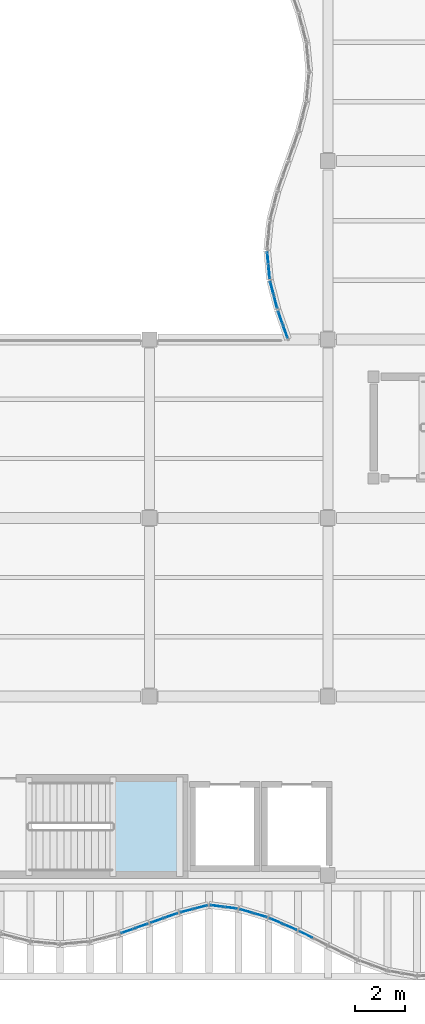
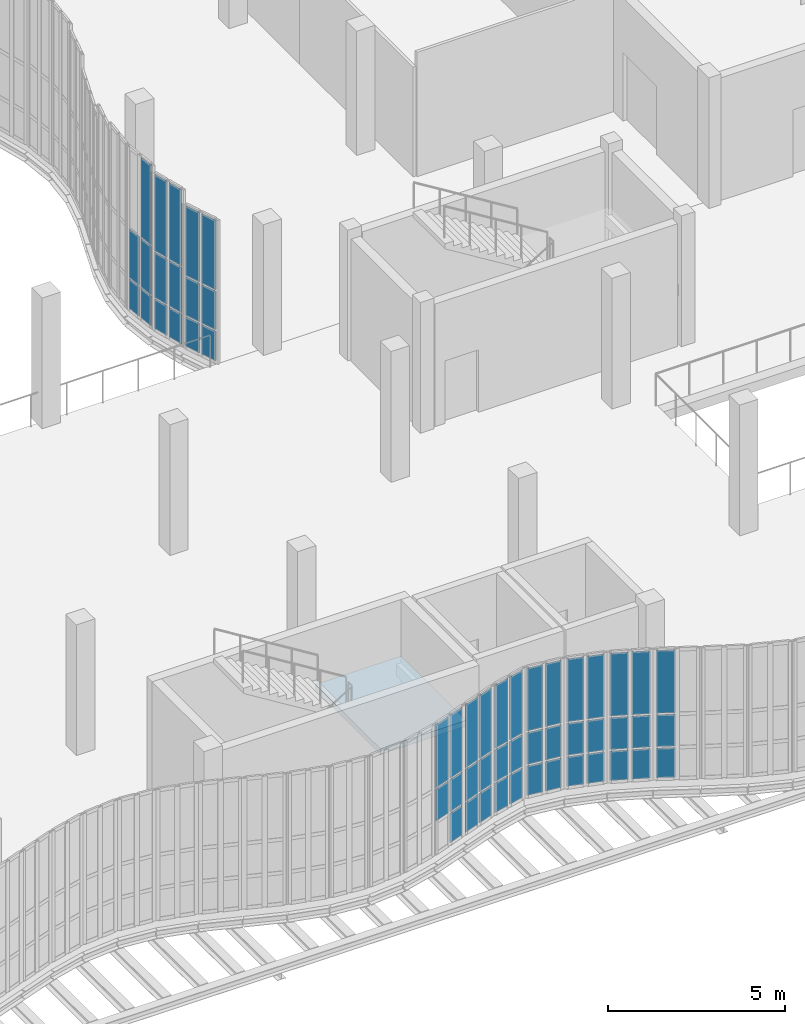
# One storey, part 70 of 105: 55 plates, 1 slab, 11 elements without a shape of their own.
"""IFC4 building model written with IfcOpenShell, lengths in metres."""

from ifc_helpers import new_model, si_unit, direction, frame, origin, origin_2d, place, context, subcontext, project, spatial, polyline, rectangle, outline, extrude, material, layer, layer_set, type_object, element, aggregate, save


model = new_model("IFC4")

# Units and contexts
model_context = context("Model", 3, precision=1e-05, world=origin(), true_north=direction((0.0, 1.0)))
body_context = subcontext(model_context, "Body", "Model", "MODEL_VIEW")
ifc_project = project(units=[si_unit("LENGTHUNIT", "METRE"), si_unit("AREAUNIT", "SQUARE_METRE"), si_unit("VOLUMEUNIT", "CUBIC_METRE"), si_unit("PLANEANGLEUNIT", "RADIAN"), si_unit("MASSUNIT", "GRAM", prefix="KILO"), si_unit("THERMODYNAMICTEMPERATUREUNIT", "KELVIN"), si_unit("POWERUNIT", "WATT")], contexts=[model_context])

# Site, building, storey
site_placement = place(None, origin())
site = spatial("IfcSite", under=ifc_project, at=site_placement, CompositionType="ELEMENT")
building_placement = place(site_placement, origin())
building = spatial("IfcBuilding", under=site, at=building_placement, Name="Kaldorven Railside Theatre", CompositionType="ELEMENT")
storey_placement = place(building_placement, frame((0.0, 0.0, 9.89990234375)))
storey = spatial("IfcBuildingStorey", under=building, at=storey_placement, Name="L02", CompositionType="ELEMENT", Elevation=9.89990234375)

# Curtain wall, plates
ifc_material_1 = material(Name="Low-E laminated solar-control glass", Category="glass")
ifc_layer_1 = layer(ifc_material_1, 0.159912109375, Name="Low-E laminated solar-control glass")
ifc_layer_set_1 = layer_set([ifc_layer_1], Name="Low-E laminated solar-control glass")
curtain_wall_type_1 = type_object("IfcCurtainWallType", Name="CWT-22", PredefinedType="USERDEFINED", material=ifc_layer_set_1)
curtain_wall_1_placement = place(storey_placement, origin())
curtain_wall_1 = element("IfcCurtainWall", 1, at=curtain_wall_1_placement, inside=storey, type_object=curtain_wall_type_1, Name="Sinusoidal Fluted Curtain Wall CW-L02-W01", ObjectType="FLUTED GLAZING", PredefinedType="USERDEFINED")
ifc_layer_2 = layer(ifc_material_1, 0.035888671875, Name="Low-E laminated solar-control glass")
ifc_layer_set_2 = layer_set([ifc_layer_2], Name="Low-E laminated solar-control glass")
plate_type_1 = type_object("IfcPlateType", Name="CWP-CREST36", PredefinedType="CURTAIN_PANEL", material=ifc_layer_set_2)
plate_1_placement = place(storey_placement, frame((71.087158203125, 41.118896484375, 0.06005859375), z_axis=(0.0, 0.0, 1.0), x_axis=(-0.33384714225, 0.942627225159, 0.0)))
plate_1 = element("IfcPlate", 2, at=plate_1_placement, type_object=plate_type_1, Name="CW-L02-W01 panel 1.1", PredefinedType="CURTAIN_PANEL", context=body_context, shape_type="SweptSolid", body=[
    extrude(rectangle(XDim=0.5166015625, YDim=0.035888671875, at=origin_2d()), origin(), (0.0, 0.0, 1.0), 1.010009765625),
])
plate_2_placement = place(storey_placement, frame((71.087158203125, 41.118896484375, 1.130126953125), z_axis=(0.0, 0.0, 1.0), x_axis=(-0.33384714225, 0.942627225159, 0.0)))
plate_2 = element("IfcPlate", 3, at=plate_2_placement, type_object=plate_type_1, Name="CW-L02-W01 panel 1.2", PredefinedType="CURTAIN_PANEL", context=body_context, shape_type="SweptSolid", body=[
    extrude(rectangle(XDim=0.5166015625, YDim=0.035888671875, at=origin_2d()), origin(), (0.0, 0.0, 1.0), 1.31494140625),
])
plate_3_placement = place(storey_placement, frame((71.087158203125, 41.118896484375, 2.5048828125), z_axis=(0.0, 0.0, 1.0), x_axis=(-0.33384714225, 0.942627225159, 0.0)))
plate_3 = element("IfcPlate", 4, at=plate_3_placement, type_object=plate_type_1, Name="CW-L02-W01 panel 1.3", PredefinedType="CURTAIN_PANEL", context=body_context, shape_type="SweptSolid", body=[
    extrude(rectangle(XDim=0.5166015625, YDim=0.035888671875, at=origin_2d()), origin(), (0.0, 0.0, 1.0), 2.385009765625),
])
plate_4_placement = place(storey_placement, frame((70.887939453125, 41.68115234375, 0.06005859375), z_axis=(0.0, 0.0, 1.0), x_axis=(-0.33384714225, 0.942627225159, 0.0)))
plate_4 = element("IfcPlate", 5, at=plate_4_placement, type_object=plate_type_1, Name="CW-L02-W01 panel 2.1", PredefinedType="CURTAIN_PANEL", context=body_context, shape_type="SweptSolid", body=[
    extrude(rectangle(XDim=0.5166015625, YDim=0.035888671875, at=origin_2d()), origin(), (0.0, 0.0, 1.0), 1.010009765625),
])
plate_5_placement = place(storey_placement, frame((70.887939453125, 41.68115234375, 1.130126953125), z_axis=(0.0, 0.0, 1.0), x_axis=(-0.33384714225, 0.942627225159, 0.0)))
plate_5 = element("IfcPlate", 6, at=plate_5_placement, type_object=plate_type_1, Name="CW-L02-W01 panel 2.2", PredefinedType="CURTAIN_PANEL", context=body_context, shape_type="SweptSolid", body=[
    extrude(rectangle(XDim=0.5166015625, YDim=0.035888671875, at=origin_2d()), origin(), (0.0, 0.0, 1.0), 1.31494140625),
])
plate_6_placement = place(storey_placement, frame((70.887939453125, 41.68115234375, 2.5048828125), z_axis=(0.0, 0.0, 1.0), x_axis=(-0.33384714225, 0.942627225159, 0.0)))
plate_6 = element("IfcPlate", 7, at=plate_6_placement, type_object=plate_type_1, Name="CW-L02-W01 panel 2.3", PredefinedType="CURTAIN_PANEL", context=body_context, shape_type="SweptSolid", body=[
    extrude(rectangle(XDim=0.5166015625, YDim=0.035888671875, at=origin_2d()), origin(), (0.0, 0.0, 1.0), 2.385009765625),
])
aggregate(curtain_wall_1, [plate_1, plate_2, plate_3, plate_4, plate_5, plate_6])

ifc_layer_3 = layer(ifc_material_1, 0.159912109375, Name="Low-E laminated solar-control glass")
ifc_layer_set_3 = layer_set([ifc_layer_3], Name="Low-E laminated solar-control glass")
curtain_wall_type_2 = type_object("IfcCurtainWallType", Name="CWT-23", PredefinedType="USERDEFINED", material=ifc_layer_set_3)
curtain_wall_2_placement = place(storey_placement, origin())
curtain_wall_2 = element("IfcCurtainWall", 8, at=curtain_wall_2_placement, inside=storey, type_object=curtain_wall_type_2, Name="Sinusoidal Fluted Curtain Wall CW-L02-W02", ObjectType="FLUTED GLAZING", PredefinedType="USERDEFINED")
plate_7_placement = place(storey_placement, frame((70.692138671875, 42.3193359375, 0.06005859375), z_axis=(0.0, 0.0, 1.0), x_axis=(-0.250953760326, 0.967999075505, 0.0)))
plate_7 = element("IfcPlate", 9, at=plate_7_placement, type_object=plate_type_1, Name="CW-L02-W02 panel 1.1", PredefinedType="CURTAIN_PANEL", context=body_context, shape_type="SweptSolid", body=[
    extrude(rectangle(XDim=0.499755859375, YDim=0.035888671875, at=origin_2d()), origin(), (0.0, 0.0, 1.0), 1.010009765625),
])
plate_8_placement = place(storey_placement, frame((70.692138671875, 42.3193359375, 1.1298828125), z_axis=(0.0, 0.0, 1.0), x_axis=(-0.250953760326, 0.967999075505, 0.0)))
plate_8 = element("IfcPlate", 10, at=plate_8_placement, type_object=plate_type_1, Name="CW-L02-W02 panel 1.2", PredefinedType="CURTAIN_PANEL", context=body_context, shape_type="SweptSolid", body=[
    extrude(rectangle(XDim=0.499755859375, YDim=0.035888671875, at=origin_2d()), origin(), (0.0, 0.0, 1.0), 1.550048828125),
])
plate_9_placement = place(storey_placement, frame((70.692138671875, 42.3193359375, 2.739990234375), z_axis=(0.0, 0.0, 1.0), x_axis=(-0.250953760326, 0.967999075505, 0.0)))
plate_9 = element("IfcPlate", 11, at=plate_9_placement, type_object=plate_type_1, Name="CW-L02-W02 panel 1.3", PredefinedType="CURTAIN_PANEL", context=body_context, shape_type="SweptSolid", body=[
    extrude(rectangle(XDim=0.499755859375, YDim=0.035888671875, at=origin_2d()), origin(), (0.0, 0.0, 1.0), 2.6201171875),
])
plate_10_placement = place(storey_placement, frame((70.546630859375, 42.880615234375, 0.06005859375), z_axis=(0.0, 0.0, 1.0), x_axis=(-0.250953760326, 0.967999075505, 0.0)))
plate_10 = element("IfcPlate", 12, at=plate_10_placement, type_object=plate_type_1, Name="CW-L02-W02 panel 2.1", PredefinedType="CURTAIN_PANEL", context=body_context, shape_type="SweptSolid", body=[
    extrude(rectangle(XDim=0.499755859375, YDim=0.035888671875, at=origin_2d()), origin(), (0.0, 0.0, 1.0), 1.010009765625),
])
plate_11_placement = place(storey_placement, frame((70.546630859375, 42.880615234375, 1.1298828125), z_axis=(0.0, 0.0, 1.0), x_axis=(-0.250953760326, 0.967999075505, 0.0)))
plate_11 = element("IfcPlate", 13, at=plate_11_placement, type_object=plate_type_1, Name="CW-L02-W02 panel 2.2", PredefinedType="CURTAIN_PANEL", context=body_context, shape_type="SweptSolid", body=[
    extrude(rectangle(XDim=0.499755859375, YDim=0.035888671875, at=origin_2d()), origin(), (0.0, 0.0, 1.0), 1.550048828125),
])
plate_12_placement = place(storey_placement, frame((70.546630859375, 42.880615234375, 2.739990234375), z_axis=(0.0, 0.0, 1.0), x_axis=(-0.250953760326, 0.967999075505, 0.0)))
plate_12 = element("IfcPlate", 14, at=plate_12_placement, type_object=plate_type_1, Name="CW-L02-W02 panel 2.3", PredefinedType="CURTAIN_PANEL", context=body_context, shape_type="SweptSolid", body=[
    extrude(rectangle(XDim=0.499755859375, YDim=0.035888671875, at=origin_2d()), origin(), (0.0, 0.0, 1.0), 2.6201171875),
])
aggregate(curtain_wall_2, [plate_7, plate_8, plate_9, plate_10, plate_11, plate_12])

ifc_layer_4 = layer(ifc_material_1, 0.159912109375, Name="Low-E laminated solar-control glass")
ifc_layer_set_4 = layer_set([ifc_layer_4], Name="Low-E laminated solar-control glass")
curtain_wall_type_3 = type_object("IfcCurtainWallType", Name="CWT-24", PredefinedType="USERDEFINED", material=ifc_layer_set_4)
curtain_wall_3_placement = place(storey_placement, origin())
curtain_wall_3 = element("IfcCurtainWall", 15, at=curtain_wall_3_placement, inside=storey, type_object=curtain_wall_type_3, Name="Sinusoidal Fluted Curtain Wall CW-L02-W03", ObjectType="FLUTED GLAZING", PredefinedType="USERDEFINED")
plate_13_placement = place(storey_placement, frame((70.43359375, 43.52001953125, 0.06005859375), z_axis=(0.0, 0.0, 1.0), x_axis=(-0.094491973758, 0.995525623425, 0.0)))
plate_13 = element("IfcPlate", 16, at=plate_13_placement, type_object=plate_type_1, Name="CW-L02-W03 panel 1.1", PredefinedType="CURTAIN_PANEL", context=body_context, shape_type="SweptSolid", body=[
    extrude(rectangle(XDim=0.482666015625, YDim=0.035888671875, at=origin_2d()), origin(), (0.0, 0.0, 1.0), 1.010009765625),
])
plate_14_placement = place(storey_placement, frame((70.43359375, 43.52001953125, 1.13037109375), z_axis=(0.0, 0.0, 1.0), x_axis=(-0.094491973758, 0.995525623425, 0.0)))
plate_14 = element("IfcPlate", 17, at=plate_14_placement, type_object=plate_type_1, Name="CW-L02-W03 panel 1.2", PredefinedType="CURTAIN_PANEL", context=body_context, shape_type="SweptSolid", body=[
    extrude(rectangle(XDim=0.482666015625, YDim=0.035888671875, at=origin_2d()), origin(), (0.0, 0.0, 1.0), 1.659912109375),
])
plate_15_placement = place(storey_placement, frame((70.43359375, 43.52001953125, 2.85009765625), z_axis=(0.0, 0.0, 1.0), x_axis=(-0.094491973758, 0.995525623425, 0.0)))
plate_15 = element("IfcPlate", 18, at=plate_15_placement, type_object=plate_type_1, Name="CW-L02-W03 panel 1.3", PredefinedType="CURTAIN_PANEL", context=body_context, shape_type="SweptSolid", body=[
    extrude(rectangle(XDim=0.482666015625, YDim=0.035888671875, at=origin_2d()), origin(), (0.0, 0.0, 1.0), 2.72998046875),
])
plate_16_placement = place(storey_placement, frame((70.38037109375, 44.080078125, 0.06005859375), z_axis=(0.0, 0.0, 1.0), x_axis=(-0.094491973758, 0.995525623425, 0.0)))
plate_16 = element("IfcPlate", 19, at=plate_16_placement, type_object=plate_type_1, Name="CW-L02-W03 panel 2.1", PredefinedType="CURTAIN_PANEL", context=body_context, shape_type="SweptSolid", body=[
    extrude(rectangle(XDim=0.482666015625, YDim=0.035888671875, at=origin_2d()), origin(), (0.0, 0.0, 1.0), 1.010009765625),
])
plate_17_placement = place(storey_placement, frame((70.38037109375, 44.080078125, 1.13037109375), z_axis=(0.0, 0.0, 1.0), x_axis=(-0.094491973758, 0.995525623425, 0.0)))
plate_17 = element("IfcPlate", 20, at=plate_17_placement, type_object=plate_type_1, Name="CW-L02-W03 panel 2.2", PredefinedType="CURTAIN_PANEL", context=body_context, shape_type="SweptSolid", body=[
    extrude(rectangle(XDim=0.482666015625, YDim=0.035888671875, at=origin_2d()), origin(), (0.0, 0.0, 1.0), 1.659912109375),
])
aggregate(curtain_wall_3, [plate_13, plate_14, plate_15, plate_16, plate_17])

ifc_layer_5 = layer(ifc_material_1, 0.159912109375, Name="Low-E laminated solar-control glass")
ifc_layer_set_5 = layer_set([ifc_layer_5], Name="Low-E laminated solar-control glass")
curtain_wall_type_4 = type_object("IfcCurtainWallType", Name="CWT-01", PredefinedType="USERDEFINED", material=ifc_layer_set_5)
curtain_wall_4_placement = place(storey_placement, origin())
curtain_wall_4 = element("IfcCurtainWall", 21, at=curtain_wall_4_placement, inside=storey, type_object=curtain_wall_type_4, Name="Sinusoidal Fluted Curtain Wall CW-L02-S24", ObjectType="FLUTED GLAZING", PredefinedType="USERDEFINED")
ifc_layer_6 = layer(ifc_material_1, 0.028076171875, Name="Low-E laminated solar-control glass")
ifc_layer_set_6 = layer_set([ifc_layer_6], Name="Low-E laminated solar-control glass")
plate_type_2 = type_object("IfcPlateType", Name="CWP-GLZ28", PredefinedType="CURTAIN_PANEL", material=ifc_layer_set_6)
plate_18_placement = place(storey_placement, frame((64.71875, 16.93798828125, 1.1298828125), z_axis=(0.0, 0.0, 1.0), x_axis=(0.942627225159, 0.33384714225, 0.0)))
plate_18 = element("IfcPlate", 22, at=plate_18_placement, type_object=plate_type_2, Name="CW-L02-S24 panel 1.2", PredefinedType="CURTAIN_PANEL", context=body_context, shape_type="SweptSolid", body=[
    extrude(rectangle(XDim=0.5166015625, YDim=0.028076171875, at=origin_2d()), origin(), (0.0, 0.0, 1.0), 1.090087890625),
])
plate_19_placement = place(storey_placement, frame((64.71875, 16.93798828125, 2.2802734375), z_axis=(0.0, 0.0, 1.0), x_axis=(0.942627225159, 0.33384714225, 0.0)))
plate_19 = element("IfcPlate", 23, at=plate_19_placement, type_object=plate_type_2, Name="CW-L02-S24 panel 1.3", PredefinedType="CURTAIN_PANEL", context=body_context, shape_type="SweptSolid", body=[
    extrude(rectangle(XDim=0.5166015625, YDim=0.028076171875, at=origin_2d()), origin(), (0.0, 0.0, 1.0), 2.159912109375),
])
plate_20_placement = place(storey_placement, frame((65.28125, 17.136962890625, 0.06005859375), z_axis=(0.0, 0.0, 1.0), x_axis=(0.942627225159, 0.33384714225, 0.0)))
plate_20 = element("IfcPlate", 24, at=plate_20_placement, type_object=plate_type_2, Name="CW-L02-S24 panel 2.1", PredefinedType="CURTAIN_PANEL", context=body_context, shape_type="SweptSolid", body=[
    extrude(rectangle(XDim=0.5166015625, YDim=0.028076171875, at=origin_2d()), origin(), (0.0, 0.0, 1.0), 1.010009765625),
])
plate_21_placement = place(storey_placement, frame((65.28125, 17.136962890625, 1.1298828125), z_axis=(0.0, 0.0, 1.0), x_axis=(0.942627225159, 0.33384714225, 0.0)))
plate_21 = element("IfcPlate", 25, at=plate_21_placement, type_object=plate_type_2, Name="CW-L02-S24 panel 2.2", PredefinedType="CURTAIN_PANEL", context=body_context, shape_type="SweptSolid", body=[
    extrude(rectangle(XDim=0.5166015625, YDim=0.028076171875, at=origin_2d()), origin(), (0.0, 0.0, 1.0), 1.090087890625),
])
plate_22_placement = place(storey_placement, frame((65.28125, 17.136962890625, 2.2802734375), z_axis=(0.0, 0.0, 1.0), x_axis=(0.942627225159, 0.33384714225, 0.0)))
plate_22 = element("IfcPlate", 26, at=plate_22_placement, type_object=plate_type_2, Name="CW-L02-S24 panel 2.3", PredefinedType="CURTAIN_PANEL", context=body_context, shape_type="SweptSolid", body=[
    extrude(rectangle(XDim=0.5166015625, YDim=0.028076171875, at=origin_2d()), origin(), (0.0, 0.0, 1.0), 2.159912109375),
])
aggregate(curtain_wall_4, [plate_18, plate_19, plate_20, plate_21, plate_22])

curtain_wall_5_placement = place(storey_placement, origin())
curtain_wall_5 = element("IfcCurtainWall", 27, at=curtain_wall_5_placement, inside=storey, type_object=curtain_wall_type_4, Name="Sinusoidal Fluted Curtain Wall CW-L02-S25", ObjectType="FLUTED GLAZING", PredefinedType="USERDEFINED")
plate_23_placement = place(storey_placement, frame((65.9189453125, 17.363037109375, 0.06005859375), z_axis=(0.0, 0.0, 1.0), x_axis=(0.942627225159, 0.33384714225, 0.0)))
plate_23 = element("IfcPlate", 28, at=plate_23_placement, type_object=plate_type_2, Name="CW-L02-S25 panel 1.1", PredefinedType="CURTAIN_PANEL", context=body_context, shape_type="SweptSolid", body=[
    extrude(rectangle(XDim=0.5166015625, YDim=0.028076171875, at=origin_2d()), origin(), (0.0, 0.0, 1.0), 1.010009765625),
])
plate_24_placement = place(storey_placement, frame((65.9189453125, 17.363037109375, 1.1298828125), z_axis=(0.0, 0.0, 1.0), x_axis=(0.942627225159, 0.33384714225, 0.0)))
plate_24 = element("IfcPlate", 29, at=plate_24_placement, type_object=plate_type_2, Name="CW-L02-S25 panel 1.2", PredefinedType="CURTAIN_PANEL", context=body_context, shape_type="SweptSolid", body=[
    extrude(rectangle(XDim=0.5166015625, YDim=0.028076171875, at=origin_2d()), origin(), (0.0, 0.0, 1.0), 1.090087890625),
])
plate_25_placement = place(storey_placement, frame((65.9189453125, 17.363037109375, 2.2802734375), z_axis=(0.0, 0.0, 1.0), x_axis=(0.942627225159, 0.33384714225, 0.0)))
plate_25 = element("IfcPlate", 30, at=plate_25_placement, type_object=plate_type_2, Name="CW-L02-S25 panel 1.3", PredefinedType="CURTAIN_PANEL", context=body_context, shape_type="SweptSolid", body=[
    extrude(rectangle(XDim=0.5166015625, YDim=0.028076171875, at=origin_2d()), origin(), (0.0, 0.0, 1.0), 2.159912109375),
])
plate_26_placement = place(storey_placement, frame((66.481201171875, 17.56201171875, 0.06005859375), z_axis=(0.0, 0.0, 1.0), x_axis=(0.942627225159, 0.33384714225, 0.0)))
plate_26 = element("IfcPlate", 31, at=plate_26_placement, type_object=plate_type_2, Name="CW-L02-S25 panel 2.1", PredefinedType="CURTAIN_PANEL", context=body_context, shape_type="SweptSolid", body=[
    extrude(rectangle(XDim=0.5166015625, YDim=0.028076171875, at=origin_2d()), origin(), (0.0, 0.0, 1.0), 1.010009765625),
])
plate_27_placement = place(storey_placement, frame((66.481201171875, 17.56201171875, 1.1298828125), z_axis=(0.0, 0.0, 1.0), x_axis=(0.942627225159, 0.33384714225, 0.0)))
plate_27 = element("IfcPlate", 32, at=plate_27_placement, type_object=plate_type_2, Name="CW-L02-S25 panel 2.2", PredefinedType="CURTAIN_PANEL", context=body_context, shape_type="SweptSolid", body=[
    extrude(rectangle(XDim=0.5166015625, YDim=0.028076171875, at=origin_2d()), origin(), (0.0, 0.0, 1.0), 1.090087890625),
])
plate_28_placement = place(storey_placement, frame((66.481201171875, 17.56201171875, 2.2802734375), z_axis=(0.0, 0.0, 1.0), x_axis=(0.942627225159, 0.33384714225, 0.0)))
plate_28 = element("IfcPlate", 33, at=plate_28_placement, type_object=plate_type_2, Name="CW-L02-S25 panel 2.3", PredefinedType="CURTAIN_PANEL", context=body_context, shape_type="SweptSolid", body=[
    extrude(rectangle(XDim=0.5166015625, YDim=0.028076171875, at=origin_2d()), origin(), (0.0, 0.0, 1.0), 2.159912109375),
])
aggregate(curtain_wall_5, [plate_23, plate_24, plate_25, plate_26, plate_27, plate_28])

ifc_layer_7 = layer(ifc_material_1, 0.159912109375, Name="Low-E laminated solar-control glass")
ifc_layer_set_7 = layer_set([ifc_layer_7], Name="Low-E laminated solar-control glass")
curtain_wall_type_5 = type_object("IfcCurtainWallType", Name="CWT-02", PredefinedType="USERDEFINED", material=ifc_layer_set_7)
curtain_wall_6_placement = place(storey_placement, origin())
curtain_wall_6 = element("IfcCurtainWall", 34, at=curtain_wall_6_placement, inside=storey, type_object=curtain_wall_type_5, Name="Sinusoidal Fluted Curtain Wall CW-L02-S26", ObjectType="FLUTED GLAZING", PredefinedType="USERDEFINED")
plate_29_placement = place(storey_placement, frame((67.119384765625, 17.7578125, 0.06005859375), z_axis=(0.0, 0.0, 1.0), x_axis=(0.967999075505, 0.250953760326, 0.0)))
plate_29 = element("IfcPlate", 35, at=plate_29_placement, type_object=plate_type_2, Name="CW-L02-S26 panel 1.1", PredefinedType="CURTAIN_PANEL", context=body_context, shape_type="SweptSolid", body=[
    extrude(rectangle(XDim=0.499755859375, YDim=0.028076171875, at=origin_2d()), origin(), (0.0, 0.0, 1.0), 1.010009765625),
])
plate_30_placement = place(storey_placement, frame((67.119384765625, 17.7578125, 1.1298828125), z_axis=(0.0, 0.0, 1.0), x_axis=(0.967999075505, 0.250953760326, 0.0)))
plate_30 = element("IfcPlate", 36, at=plate_30_placement, type_object=plate_type_2, Name="CW-L02-S26 panel 1.2", PredefinedType="CURTAIN_PANEL", context=body_context, shape_type="SweptSolid", body=[
    extrude(rectangle(XDim=0.499755859375, YDim=0.028076171875, at=origin_2d()), origin(), (0.0, 0.0, 1.0), 1.090087890625),
])
plate_31_placement = place(storey_placement, frame((67.119384765625, 17.7578125, 2.2802734375), z_axis=(0.0, 0.0, 1.0), x_axis=(0.967999075505, 0.250953760326, 0.0)))
plate_31 = element("IfcPlate", 37, at=plate_31_placement, type_object=plate_type_2, Name="CW-L02-S26 panel 1.3", PredefinedType="CURTAIN_PANEL", context=body_context, shape_type="SweptSolid", body=[
    extrude(rectangle(XDim=0.499755859375, YDim=0.028076171875, at=origin_2d()), origin(), (0.0, 0.0, 1.0), 2.159912109375),
])
plate_32_placement = place(storey_placement, frame((67.6806640625, 17.9033203125, 0.06005859375), z_axis=(0.0, 0.0, 1.0), x_axis=(0.967999075505, 0.250953760326, 0.0)))
plate_32 = element("IfcPlate", 38, at=plate_32_placement, type_object=plate_type_2, Name="CW-L02-S26 panel 2.1", PredefinedType="CURTAIN_PANEL", context=body_context, shape_type="SweptSolid", body=[
    extrude(rectangle(XDim=0.499755859375, YDim=0.028076171875, at=origin_2d()), origin(), (0.0, 0.0, 1.0), 1.010009765625),
])
plate_33_placement = place(storey_placement, frame((67.6806640625, 17.9033203125, 1.1298828125), z_axis=(0.0, 0.0, 1.0), x_axis=(0.967999075505, 0.250953760326, 0.0)))
plate_33 = element("IfcPlate", 39, at=plate_33_placement, type_object=plate_type_2, Name="CW-L02-S26 panel 2.2", PredefinedType="CURTAIN_PANEL", context=body_context, shape_type="SweptSolid", body=[
    extrude(rectangle(XDim=0.499755859375, YDim=0.028076171875, at=origin_2d()), origin(), (0.0, 0.0, 1.0), 1.090087890625),
])
plate_34_placement = place(storey_placement, frame((67.6806640625, 17.9033203125, 2.2802734375), z_axis=(0.0, 0.0, 1.0), x_axis=(0.967999075505, 0.250953760326, 0.0)))
plate_34 = element("IfcPlate", 40, at=plate_34_placement, type_object=plate_type_2, Name="CW-L02-S26 panel 2.3", PredefinedType="CURTAIN_PANEL", context=body_context, shape_type="SweptSolid", body=[
    extrude(rectangle(XDim=0.499755859375, YDim=0.028076171875, at=origin_2d()), origin(), (0.0, 0.0, 1.0), 2.159912109375),
])
aggregate(curtain_wall_6, [plate_29, plate_30, plate_31, plate_32, plate_33, plate_34])

ifc_layer_8 = layer(ifc_material_1, 0.159912109375, Name="Low-E laminated solar-control glass")
ifc_layer_set_8 = layer_set([ifc_layer_8], Name="Low-E laminated solar-control glass")
curtain_wall_type_6 = type_object("IfcCurtainWallType", Name="CWT-03", PredefinedType="USERDEFINED", material=ifc_layer_set_8)
curtain_wall_7_placement = place(storey_placement, origin())
curtain_wall_7 = element("IfcCurtainWall", 41, at=curtain_wall_7_placement, inside=storey, type_object=curtain_wall_type_6, Name="Sinusoidal Fluted Curtain Wall CW-L02-S27", ObjectType="FLUTED GLAZING", PredefinedType="USERDEFINED")
plate_35_placement = place(storey_placement, frame((68.31982421875, 17.944580078125, 0.06005859375), z_axis=(0.0, 0.0, 1.0), x_axis=(0.991676733269, -0.12875269587, 0.0)))
plate_35 = element("IfcPlate", 42, at=plate_35_placement, type_object=plate_type_2, Name="CW-L02-S27 panel 1.1", PredefinedType="CURTAIN_PANEL", context=body_context, shape_type="SweptSolid", body=[
    extrude(rectangle(XDim=0.485107421875, YDim=0.028076171875, at=origin_2d()), origin(), (0.0, 0.0, 1.0), 1.010009765625),
])
plate_36_placement = place(storey_placement, frame((68.31982421875, 17.944580078125, 1.1298828125), z_axis=(0.0, 0.0, 1.0), x_axis=(0.991676733269, -0.12875269587, 0.0)))
plate_36 = element("IfcPlate", 43, at=plate_36_placement, type_object=plate_type_2, Name="CW-L02-S27 panel 1.2", PredefinedType="CURTAIN_PANEL", context=body_context, shape_type="SweptSolid", body=[
    extrude(rectangle(XDim=0.485107421875, YDim=0.028076171875, at=origin_2d()), origin(), (0.0, 0.0, 1.0), 1.090087890625),
])
plate_37_placement = place(storey_placement, frame((68.31982421875, 17.944580078125, 2.2802734375), z_axis=(0.0, 0.0, 1.0), x_axis=(0.991676733269, -0.12875269587, 0.0)))
plate_37 = element("IfcPlate", 44, at=plate_37_placement, type_object=plate_type_2, Name="CW-L02-S27 panel 1.3", PredefinedType="CURTAIN_PANEL", context=body_context, shape_type="SweptSolid", body=[
    extrude(rectangle(XDim=0.485107421875, YDim=0.028076171875, at=origin_2d()), origin(), (0.0, 0.0, 1.0), 2.159912109375),
])
plate_38_placement = place(storey_placement, frame((68.880126953125, 17.871826171875, 0.06005859375), z_axis=(0.0, 0.0, 1.0), x_axis=(0.991676733269, -0.12875269587, 0.0)))
plate_38 = element("IfcPlate", 45, at=plate_38_placement, type_object=plate_type_2, Name="CW-L02-S27 panel 2.1", PredefinedType="CURTAIN_PANEL", context=body_context, shape_type="SweptSolid", body=[
    extrude(rectangle(XDim=0.485107421875, YDim=0.028076171875, at=origin_2d()), origin(), (0.0, 0.0, 1.0), 1.010009765625),
])
plate_39_placement = place(storey_placement, frame((68.880126953125, 17.871826171875, 1.1298828125), z_axis=(0.0, 0.0, 1.0), x_axis=(0.991676733269, -0.12875269587, 0.0)))
plate_39 = element("IfcPlate", 46, at=plate_39_placement, type_object=plate_type_2, Name="CW-L02-S27 panel 2.2", PredefinedType="CURTAIN_PANEL", context=body_context, shape_type="SweptSolid", body=[
    extrude(rectangle(XDim=0.485107421875, YDim=0.028076171875, at=origin_2d()), origin(), (0.0, 0.0, 1.0), 1.090087890625),
])
plate_40_placement = place(storey_placement, frame((68.880126953125, 17.871826171875, 2.2802734375), z_axis=(0.0, 0.0, 1.0), x_axis=(0.991676733269, -0.12875269587, 0.0)))
plate_40 = element("IfcPlate", 47, at=plate_40_placement, type_object=plate_type_2, Name="CW-L02-S27 panel 2.3", PredefinedType="CURTAIN_PANEL", context=body_context, shape_type="SweptSolid", body=[
    extrude(rectangle(XDim=0.485107421875, YDim=0.028076171875, at=origin_2d()), origin(), (0.0, 0.0, 1.0), 2.159912109375),
])
aggregate(curtain_wall_7, [plate_35, plate_36, plate_37, plate_38, plate_39, plate_40])

ifc_layer_9 = layer(ifc_material_1, 0.159912109375, Name="Low-E laminated solar-control glass")
ifc_layer_set_9 = layer_set([ifc_layer_9], Name="Low-E laminated solar-control glass")
curtain_wall_type_7 = type_object("IfcCurtainWallType", Name="CWT-04", PredefinedType="USERDEFINED", material=ifc_layer_set_9)
curtain_wall_8_placement = place(storey_placement, origin())
curtain_wall_8 = element("IfcCurtainWall", 48, at=curtain_wall_8_placement, inside=storey, type_object=curtain_wall_type_7, Name="Sinusoidal Fluted Curtain Wall CW-L02-S28", ObjectType="FLUTED GLAZING", PredefinedType="USERDEFINED")
plate_41_placement = place(storey_placement, frame((69.519287109375, 17.736083984375, 0.06005859375), z_axis=(0.0, 0.0, 1.0), x_axis=(0.959157781116, -0.282871615621, 0.0)))
plate_41 = element("IfcPlate", 49, at=plate_41_placement, type_object=plate_type_2, Name="CW-L02-S28 panel 1.1", PredefinedType="CURTAIN_PANEL", context=body_context, shape_type="SweptSolid", body=[
    extrude(rectangle(XDim=0.505615234375, YDim=0.028076171875, at=origin_2d()), origin(), (0.0, 0.0, 1.0), 1.010009765625),
])
plate_42_placement = place(storey_placement, frame((69.519287109375, 17.736083984375, 1.1298828125), z_axis=(0.0, 0.0, 1.0), x_axis=(0.959157781116, -0.282871615621, 0.0)))
plate_42 = element("IfcPlate", 50, at=plate_42_placement, type_object=plate_type_2, Name="CW-L02-S28 panel 1.2", PredefinedType="CURTAIN_PANEL", context=body_context, shape_type="SweptSolid", body=[
    extrude(rectangle(XDim=0.505615234375, YDim=0.028076171875, at=origin_2d()), origin(), (0.0, 0.0, 1.0), 1.090087890625),
])
plate_43_placement = place(storey_placement, frame((69.519287109375, 17.736083984375, 2.2802734375), z_axis=(0.0, 0.0, 1.0), x_axis=(0.959157781116, -0.282871615621, 0.0)))
plate_43 = element("IfcPlate", 51, at=plate_43_placement, type_object=plate_type_2, Name="CW-L02-S28 panel 1.3", PredefinedType="CURTAIN_PANEL", context=body_context, shape_type="SweptSolid", body=[
    extrude(rectangle(XDim=0.505615234375, YDim=0.028076171875, at=origin_2d()), origin(), (0.0, 0.0, 1.0), 2.159912109375),
])
plate_44_placement = place(storey_placement, frame((70.080810546875, 17.570556640625, 0.06005859375), z_axis=(0.0, 0.0, 1.0), x_axis=(0.959157781116, -0.282871615621, 0.0)))
plate_44 = element("IfcPlate", 52, at=plate_44_placement, type_object=plate_type_2, Name="CW-L02-S28 panel 2.1", PredefinedType="CURTAIN_PANEL", context=body_context, shape_type="SweptSolid", body=[
    extrude(rectangle(XDim=0.505615234375, YDim=0.028076171875, at=origin_2d()), origin(), (0.0, 0.0, 1.0), 1.010009765625),
])
plate_45_placement = place(storey_placement, frame((70.080810546875, 17.570556640625, 1.1298828125), z_axis=(0.0, 0.0, 1.0), x_axis=(0.959157781116, -0.282871615621, 0.0)))
plate_45 = element("IfcPlate", 53, at=plate_45_placement, type_object=plate_type_2, Name="CW-L02-S28 panel 2.2", PredefinedType="CURTAIN_PANEL", context=body_context, shape_type="SweptSolid", body=[
    extrude(rectangle(XDim=0.505615234375, YDim=0.028076171875, at=origin_2d()), origin(), (0.0, 0.0, 1.0), 1.090087890625),
])
plate_46_placement = place(storey_placement, frame((70.080810546875, 17.570556640625, 2.2802734375), z_axis=(0.0, 0.0, 1.0), x_axis=(0.959157781116, -0.282871615621, 0.0)))
plate_46 = element("IfcPlate", 54, at=plate_46_placement, type_object=plate_type_2, Name="CW-L02-S28 panel 2.3", PredefinedType="CURTAIN_PANEL", context=body_context, shape_type="SweptSolid", body=[
    extrude(rectangle(XDim=0.505615234375, YDim=0.028076171875, at=origin_2d()), origin(), (0.0, 0.0, 1.0), 2.159912109375),
])
aggregate(curtain_wall_8, [plate_41, plate_42, plate_43, plate_44, plate_45, plate_46])

ifc_layer_10 = layer(ifc_material_1, 0.159912109375, Name="Low-E laminated solar-control glass")
ifc_layer_set_10 = layer_set([ifc_layer_10], Name="Low-E laminated solar-control glass")
curtain_wall_type_8 = type_object("IfcCurtainWallType", Name="CWT-05", PredefinedType="USERDEFINED", material=ifc_layer_set_10)
curtain_wall_9_placement = place(storey_placement, origin())
curtain_wall_9 = element("IfcCurtainWall", 55, at=curtain_wall_9_placement, inside=storey, type_object=curtain_wall_type_8, Name="Sinusoidal Fluted Curtain Wall CW-L02-S29", ObjectType="FLUTED GLAZING", PredefinedType="USERDEFINED")
plate_47_placement = place(storey_placement, frame((70.71826171875, 17.337890625, 0.06005859375), z_axis=(0.0, 0.0, 1.0), x_axis=(0.916997147675, -0.398893759235, 0.0)))
plate_47 = element("IfcPlate", 56, at=plate_47_placement, type_object=plate_type_2, Name="CW-L02-S29 panel 1.1", PredefinedType="CURTAIN_PANEL", context=body_context, shape_type="SweptSolid", body=[
    extrude(rectangle(XDim=0.534423828125, YDim=0.028076171875, at=origin_2d()), origin(), (0.0, 0.0, 1.0), 1.010009765625),
])
plate_48_placement = place(storey_placement, frame((70.71826171875, 17.337890625, 1.1298828125), z_axis=(0.0, 0.0, 1.0), x_axis=(0.916997147675, -0.398893759235, 0.0)))
plate_48 = element("IfcPlate", 57, at=plate_48_placement, type_object=plate_type_2, Name="CW-L02-S29 panel 1.2", PredefinedType="CURTAIN_PANEL", context=body_context, shape_type="SweptSolid", body=[
    extrude(rectangle(XDim=0.534423828125, YDim=0.028076171875, at=origin_2d()), origin(), (0.0, 0.0, 1.0), 1.090087890625),
])
plate_49_placement = place(storey_placement, frame((70.71826171875, 17.337890625, 2.2802734375), z_axis=(0.0, 0.0, 1.0), x_axis=(0.916997147675, -0.398893759235, 0.0)))
plate_49 = element("IfcPlate", 58, at=plate_49_placement, type_object=plate_type_2, Name="CW-L02-S29 panel 1.3", PredefinedType="CURTAIN_PANEL", context=body_context, shape_type="SweptSolid", body=[
    extrude(rectangle(XDim=0.534423828125, YDim=0.028076171875, at=origin_2d()), origin(), (0.0, 0.0, 1.0), 2.159912109375),
])
plate_50_placement = place(storey_placement, frame((71.28173828125, 17.0927734375, 0.06005859375), z_axis=(0.0, 0.0, 1.0), x_axis=(0.916997147675, -0.398893759235, 0.0)))
plate_50 = element("IfcPlate", 59, at=plate_50_placement, type_object=plate_type_2, Name="CW-L02-S29 panel 2.1", PredefinedType="CURTAIN_PANEL", context=body_context, shape_type="SweptSolid", body=[
    extrude(rectangle(XDim=0.534423828125, YDim=0.028076171875, at=origin_2d()), origin(), (0.0, 0.0, 1.0), 1.010009765625),
])
plate_51_placement = place(storey_placement, frame((71.28173828125, 17.0927734375, 1.1298828125), z_axis=(0.0, 0.0, 1.0), x_axis=(0.916997147675, -0.398893759235, 0.0)))
plate_51 = element("IfcPlate", 60, at=plate_51_placement, type_object=plate_type_2, Name="CW-L02-S29 panel 2.2", PredefinedType="CURTAIN_PANEL", context=body_context, shape_type="SweptSolid", body=[
    extrude(rectangle(XDim=0.534423828125, YDim=0.028076171875, at=origin_2d()), origin(), (0.0, 0.0, 1.0), 1.090087890625),
])
plate_52_placement = place(storey_placement, frame((71.28173828125, 17.0927734375, 2.2802734375), z_axis=(0.0, 0.0, 1.0), x_axis=(0.916997147675, -0.398893759235, 0.0)))
plate_52 = element("IfcPlate", 61, at=plate_52_placement, type_object=plate_type_2, Name="CW-L02-S29 panel 2.3", PredefinedType="CURTAIN_PANEL", context=body_context, shape_type="SweptSolid", body=[
    extrude(rectangle(XDim=0.534423828125, YDim=0.028076171875, at=origin_2d()), origin(), (0.0, 0.0, 1.0), 2.159912109375),
])
aggregate(curtain_wall_9, [plate_47, plate_48, plate_49, plate_50, plate_51, plate_52])

ifc_layer_11 = layer(ifc_material_1, 0.159912109375, Name="Low-E laminated solar-control glass")
ifc_layer_set_11 = layer_set([ifc_layer_11], Name="Low-E laminated solar-control glass")
curtain_wall_type_9 = type_object("IfcCurtainWallType", Name="CWT-06", PredefinedType="USERDEFINED", material=ifc_layer_set_11)
curtain_wall_10_placement = place(storey_placement, origin())
curtain_wall_10 = element("IfcCurtainWall", 62, at=curtain_wall_10_placement, inside=storey, type_object=curtain_wall_type_9, Name="Sinusoidal Fluted Curtain Wall CW-L02-S30", ObjectType="FLUTED GLAZING", PredefinedType="USERDEFINED")
plate_53_placement = place(storey_placement, frame((71.917724609375, 16.793701171875, 0.06005859375), z_axis=(0.0, 0.0, 1.0), x_axis=(0.89230542934, -0.451432188451, 0.0)))
plate_53 = element("IfcPlate", 63, at=plate_53_placement, type_object=plate_type_2, Name="CW-L02-S30 panel 1.1", PredefinedType="CURTAIN_PANEL", context=body_context, shape_type="SweptSolid", body=[
    extrude(rectangle(XDim=0.552490234375, YDim=0.028076171875, at=origin_2d()), origin(), (0.0, 0.0, 1.0), 1.010009765625),
])
plate_54_placement = place(storey_placement, frame((71.917724609375, 16.793701171875, 1.1298828125), z_axis=(0.0, 0.0, 1.0), x_axis=(0.89230542934, -0.451432188451, 0.0)))
plate_54 = element("IfcPlate", 64, at=plate_54_placement, type_object=plate_type_2, Name="CW-L02-S30 panel 1.2", PredefinedType="CURTAIN_PANEL", context=body_context, shape_type="SweptSolid", body=[
    extrude(rectangle(XDim=0.552490234375, YDim=0.028076171875, at=origin_2d()), origin(), (0.0, 0.0, 1.0), 1.090087890625),
])
plate_55_placement = place(storey_placement, frame((71.917724609375, 16.793701171875, 2.2802734375), z_axis=(0.0, 0.0, 1.0), x_axis=(0.89230542934, -0.451432188451, 0.0)))
plate_55 = element("IfcPlate", 65, at=plate_55_placement, type_object=plate_type_2, Name="CW-L02-S30 panel 1.3", PredefinedType="CURTAIN_PANEL", context=body_context, shape_type="SweptSolid", body=[
    extrude(rectangle(XDim=0.552490234375, YDim=0.028076171875, at=origin_2d()), origin(), (0.0, 0.0, 1.0), 2.159912109375),
])
aggregate(curtain_wall_10, [plate_53, plate_54, plate_55])

# Stair, slab
ifc_material_2 = material(Name="Concrete C35/45", Category="concrete")
stair_type = type_object("IfcStairType", Name="STR-DL-03", PredefinedType="HALF_TURN_STAIR", material=ifc_material_2)
stair_placement = place(storey_placement, origin())
stair = element("IfcStair", 66, at=stair_placement, inside=storey, type_object=stair_type, Name="L02 Core C-FS Escape Stair ST-03", PredefinedType="HALF_TURN_STAIR")
ifc_layer_12 = layer(ifc_material_2, 0.199951171875, Name="Concrete C35/45")
ifc_layer_set_12 = layer_set([ifc_layer_12], Name="Concrete C35/45")
slab_type = type_object("IfcSlabType", Name="SLB-LSL-200", PredefinedType="LANDING", material=ifc_layer_set_12)
slab_placement = place(storey_placement, frame((0.0, 0.0, 2.050048828125)))
slab = element("IfcSlab", 67, at=slab_placement, type_object=slab_type, Name="ST-03 landing 1", PredefinedType="LANDING", context=body_context, shape_type="SweptSolid", body=[
    extrude(outline(polyline([(64.0849609375, 19.320068359375), (66.8798828125, 19.320068359375), (66.8798828125, 22.97998046875), (64.0849609375, 22.97998046875), (64.0849609375, 19.320068359375)])), origin(), (0.0, 0.0, 1.0), 0.199951171875),
])
aggregate(stair, [slab])

save(model, "model.ifc")
